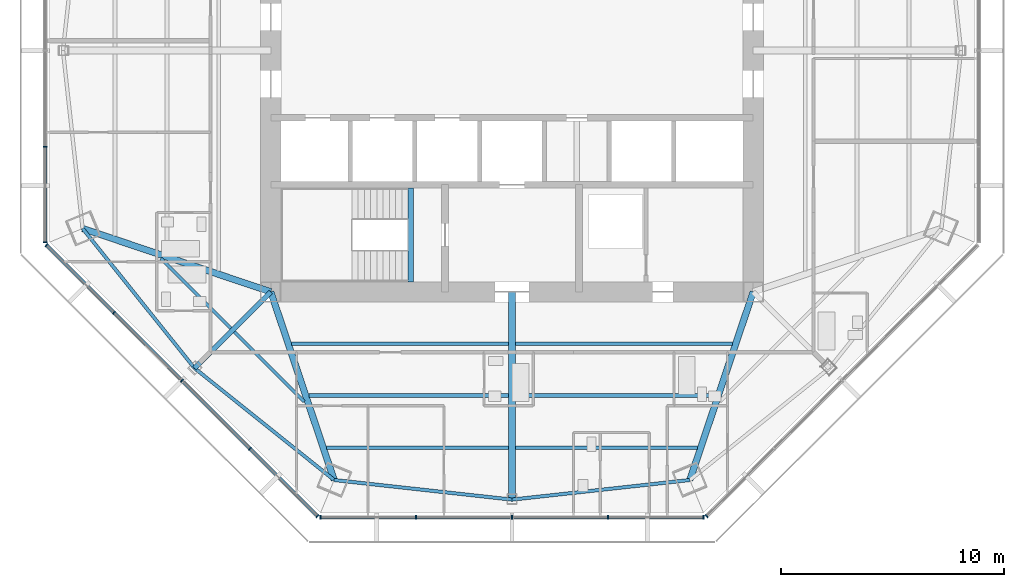
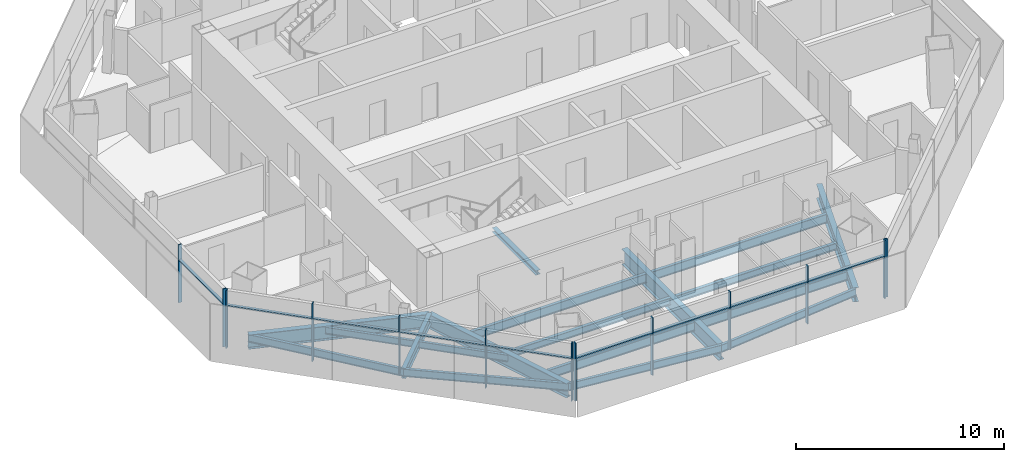
# One storey, part 2 of 14: 22 members, 18 beams, 4 elements without a shape of their own.
"""IFC4 building model written with IfcOpenShell, lengths in metres."""

import ifcopenshell
import ifcopenshell.guid

model = None  # the IFC model being written
_history = None  # IfcOwnerHistory: only IFC2X3 demands one
_inside = {}  # id of a spatial element -> (the spatial element, [elements in it])
_under = {}  # id of a project, library or spatial element -> (it, [spatial elements below it])
_declared = {}  # id of a project -> (the project, [libraries it declares])
_typed = {}  # id of a type object -> (the type object, [elements of that type])
_made_of = {}  # id of a material, layer set ... -> (it, [elements and type objects made of it])


def new_model(schema):
    """Start an empty IFC model of exactly this schema.

    Asked for "IFC4X3", IfcOpenShell would pick the latest addendum, in which some entities
    have other attributes; the version numbers below select the first issue.
    IFC2X3 requires an IfcOwnerHistory on every rooted entity: one is made here for all.
    """
    global model, _history
    if schema == "IFC4X3":
        model = ifcopenshell.file(schema_version=(4, 3, 0, 0))
    else:
        model = ifcopenshell.file(schema=schema)
    _inside.clear()
    _under.clear()
    _declared.clear()
    _typed.clear()
    _made_of.clear()
    _history = None
    if model.schema == "IFC2X3":
        org = make("IfcOrganization", Name="unknown")
        user = make(
            "IfcPersonAndOrganization",
            ThePerson=make("IfcPerson", FamilyName="unknown"),
            TheOrganization=org,
        )
        app = make(
            "IfcApplication",
            ApplicationDeveloper=org,
            Version="unknown",
            ApplicationFullName="unknown",
            ApplicationIdentifier="unknown",
        )
        _history = make(
            "IfcOwnerHistory",
            OwningUser=user,
            OwningApplication=app,
            ChangeAction="ADDED",
            CreationDate=0,
        )
    return model


def make(cls, **values):
    """One entity of the class cls with the attributes given. An attribute that is None is left unset."""
    return model.create_entity(
        cls, **{name: value for name, value in values.items() if value is not None}
    )


def rooted(cls, **values):
    """An entity with a GlobalId (a new one), such as an element, a storey or a relation."""
    return make(cls, GlobalId=ifcopenshell.guid.new(), OwnerHistory=_history, **values)


def si_unit(unit_type, name, prefix=None):
    """IfcSIUnit, for example si_unit("LENGTHUNIT", "METRE", prefix="MILLI")."""
    return make("IfcSIUnit", UnitType=unit_type, Prefix=prefix, Name=name)


def assignment(units):
    """IfcUnitAssignment: the units of a project."""
    return None if units is None else make("IfcUnitAssignment", Units=units)


def point(xyz):
    """IfcCartesianPoint."""
    return None if xyz is None else make("IfcCartesianPoint", Coordinates=xyz)


def direction(xyz):
    """IfcDirection."""
    return None if xyz is None else make("IfcDirection", DirectionRatios=xyz)


def frame(location, z_axis=None, x_axis=None):
    """IfcAxis2Placement3D, a coordinate frame: its origin and axes. An axis left out is left unset."""
    return make(
        "IfcAxis2Placement3D",
        Location=point(location),
        Axis=direction(z_axis),
        RefDirection=direction(x_axis),
    )


def frame_2d(location, x_axis=None):
    """IfcAxis2Placement2D, a coordinate frame in the plane: its origin and x axis."""
    return make(
        "IfcAxis2Placement2D", Location=point(location), RefDirection=direction(x_axis)
    )


def origin():
    """The frame at (0, 0, 0) with its axes left unset."""
    return frame((0.0, 0.0, 0.0))


def origin_2d():
    """The frame at (0, 0) in the plane with its x axis left unset."""
    return frame_2d((0.0, 0.0))


def place(relative_to, where):
    """IfcLocalPlacement: puts the frame where relative to a parent placement (None: the world)."""
    return make(
        "IfcLocalPlacement", PlacementRelTo=relative_to, RelativePlacement=where
    )


def context(
    kind, dimensions, precision=None, world=None, true_north=None, identifier=None
):
    """IfcGeometricRepresentationContext, for example the 3D "Model" context."""
    return make(
        "IfcGeometricRepresentationContext",
        ContextIdentifier=identifier,
        ContextType=kind,
        CoordinateSpaceDimension=dimensions,
        Precision=precision,
        WorldCoordinateSystem=world,
        TrueNorth=true_north,
    )


def subcontext(parent, identifier, kind, view, scale=None):
    """IfcGeometricRepresentationSubContext, for example "Body" below "Model"."""
    return make(
        "IfcGeometricRepresentationSubContext",
        ContextIdentifier=identifier,
        ContextType=kind,
        ParentContext=parent,
        TargetScale=scale,
        TargetView=view,
    )


def project(units=None, contexts=None):
    """IfcProject with its units and contexts."""
    return rooted(
        "IfcProject",
        Name="project",
        RepresentationContexts=contexts,
        UnitsInContext=assignment(units),
    )


def spatial(cls, under=None, at=None, **own):
    """A site, building, storey or space (cls), placed at a placement, below another one or the project."""
    s = rooted(cls, ObjectPlacement=at, **own)
    if under is not None:
        _under.setdefault(under.id(), (under, []))[1].append(s)
    return s


def profile(cls, at=None, kind="AREA", **sizes):
    """A parametric profile (cls). Its sizes go by their IFC names, for example OverallWidth=200.0."""
    return make(cls, ProfileType=kind, Position=at, **sizes)


def rectangle(**sizes):
    """IfcRectangleProfileDef."""
    return profile("IfcRectangleProfileDef", **sizes)


def i_section(**sizes):
    """IfcIShapeProfileDef."""
    return profile("IfcIShapeProfileDef", **sizes)


def extrude(swept, where, along, depth):
    """IfcExtrudedAreaSolid: the profile swept, set in the frame where, extruded along a direction by depth."""
    return make(
        "IfcExtrudedAreaSolid",
        SweptArea=swept,
        Position=where,
        ExtrudedDirection=direction(along),
        Depth=depth,
    )


def shape(context_of_items, identifier, shape_type, items):
    """IfcShapeRepresentation: the items that make up one representation, for example the "Body"."""
    return make(
        "IfcShapeRepresentation",
        ContextOfItems=context_of_items,
        RepresentationIdentifier=identifier,
        RepresentationType=shape_type,
        Items=items,
    )


def source(mapping_origin, context_of_items, identifier, shape_type, items):
    """IfcRepresentationMap: a shape defined once, which mapped items show again and again."""
    return make(
        "IfcRepresentationMap",
        MappingOrigin=mapping_origin,
        MappedRepresentation=shape(context_of_items, identifier, shape_type, items),
    )


def transform(
    local_origin,
    x_axis=None,
    y_axis=None,
    z_axis=None,
    scale=None,
    scale2=None,
    scale3=None,
    uniform=True,
):
    """IfcCartesianTransformationOperator3D, or its non-uniform kind. x_axis, y_axis, z_axis: its Axis1, 2, 3."""
    if uniform:
        return make(
            "IfcCartesianTransformationOperator3D",
            Axis1=direction(x_axis),
            Axis2=direction(y_axis),
            LocalOrigin=point(local_origin),
            Scale=scale,
            Axis3=direction(z_axis),
        )
    return make(
        "IfcCartesianTransformationOperator3DnonUniform",
        Axis1=direction(x_axis),
        Axis2=direction(y_axis),
        LocalOrigin=point(local_origin),
        Scale=scale,
        Axis3=direction(z_axis),
        Scale2=scale2,
        Scale3=scale3,
    )


def mapped(mapping_source, mapping_target):
    """IfcMappedItem: shows the shape of a source again, moved by a transform."""
    return make(
        "IfcMappedItem", MappingSource=mapping_source, MappingTarget=mapping_target
    )


def material(Name=None, Category=None):
    """IfcMaterial."""
    return make("IfcMaterial", Name=Name, Category=Category)


def material_profile(
    of_material, cross_section, Name=None, Category=None, Priority=None
):
    """IfcMaterialProfile: a cross section and its material."""
    return make(
        "IfcMaterialProfile",
        Name=Name,
        Material=of_material,
        Profile=cross_section,
        Priority=Priority,
        Category=Category,
    )


def profile_set(profiles, Name=None, composite=None):
    """IfcMaterialProfileSet."""
    return make(
        "IfcMaterialProfileSet",
        Name=Name,
        MaterialProfiles=profiles,
        CompositeProfile=composite,
    )


def made_of(thing, what):
    """Note that an element or type object is made of a material, layer set ...; save() writes the relation."""
    if what is not None:
        _made_of.setdefault(what.id(), (what, []))[1].append(thing)
    return thing


def type_object(cls, material=None, **own):
    """A type object (cls), such as IfcWallType, which elements share."""
    return made_of(rooted(cls, **own), material)


def type_shapes(of_type, sources):
    """Give a type object the sources (RepresentationMaps) that its elements show as mapped items."""
    of_type.RepresentationMaps = sources


def element(
    cls,
    number,
    at=None,
    inside=None,
    cuts=None,
    type_object=None,
    material=None,
    context=None,
    identifier="Body",
    shape_type=None,
    held_by="IfcProductDefinitionShape",
    body=None,
    shapes=None,
    **own,
):
    """One element of the class cls, such as IfcWall. Its Tag is "e" and its number.

    at: its placement. inside: the storey or other place that contains it. cuts: it is an
    opening in that element (IfcRelVoidsElement). A single representation is given by context,
    identifier, shape_type and body (its items); several are given by shapes. held_by: the class
    of the entity that holds the representations. save() writes the other relations.
    """
    e = rooted(cls, Tag="e%d" % number, ObjectPlacement=at, **own)
    if body is not None:
        shapes = [shape(context, identifier, shape_type, body)]
    if shapes is not None:
        e.Representation = make(held_by, Representations=shapes)
    if inside is not None:
        _inside.setdefault(inside.id(), (inside, []))[1].append(e)
    if cuts is not None:
        rooted(
            "IfcRelVoidsElement", RelatingBuildingElement=cuts, RelatedOpeningElement=e
        )
    if type_object is not None:
        _typed.setdefault(type_object.id(), (type_object, []))[1].append(e)
    return made_of(e, material)


def aggregate(whole, parts):
    """IfcRelAggregates: a whole, such as a stair, and the parts it consists of."""
    return rooted("IfcRelAggregates", RelatingObject=whole, RelatedObjects=parts)


def save(model, path):
    """Write the relations noted so far, then the file.

    IfcRelAggregates (storeys below a building ...), IfcRelContainedInSpatialStructure (elements
    in a storey), IfcRelDefinesByType, IfcRelAssociatesMaterial and IfcRelDeclares: one each for
    every whole, place, type object, material and project.
    """
    for whole, parts in _under.values():
        aggregate(whole, parts)
    for where, things in _inside.values():
        rooted(
            "IfcRelContainedInSpatialStructure",
            RelatedElements=things,
            RelatingStructure=where,
        )
    for kind, things in _typed.values():
        rooted("IfcRelDefinesByType", RelatedObjects=things, RelatingType=kind)
    for what, things in _made_of.values():
        rooted("IfcRelAssociatesMaterial", RelatedObjects=things, RelatingMaterial=what)
    for by, libraries in _declared.values():
        rooted("IfcRelDeclares", RelatingContext=by, RelatedDefinitions=libraries)
    model.write(path)


model = new_model("IFC4")

# Units and contexts
model_context = context("Model", 3, precision=1e-05, world=origin(), true_north=direction((0.0, 1.0)))
body_context = subcontext(model_context, "Body", "Model", "MODEL_VIEW")
ifc_project = project(units=[si_unit("LENGTHUNIT", "METRE"), si_unit("AREAUNIT", "SQUARE_METRE"), si_unit("VOLUMEUNIT", "CUBIC_METRE"), si_unit("PLANEANGLEUNIT", "RADIAN"), si_unit("MASSUNIT", "GRAM", prefix="KILO")], contexts=[model_context])

# Site, building, storey
site_placement = place(None, origin())
site = spatial("IfcSite", under=ifc_project, at=site_placement, CompositionType="ELEMENT")
building_placement = place(site_placement, origin())
building = spatial("IfcBuilding", under=site, at=building_placement, Name="Mashrafa Tower", CompositionType="ELEMENT")
storey_placement = place(building_placement, frame((0.0, 0.0, 251.60009765625)))
storey = spatial("IfcBuildingStorey", under=building, at=storey_placement, Name="L60", CompositionType="ELEMENT", Elevation=251.60009765625)

# Beams
ifc_material_1 = material(Name="Steel ASTM A992", Category="steel")
ifc_material_profile_1 = material_profile(ifc_material_1, i_section(OverallWidth=0.140380859375, OverallDepth=0.40380859375, WebThickness=0.007080078125, FlangeThickness=0.01123046875, FilletRadius=0.01025390625, at=origin_2d()), Name="W16X31")
ifc_profile_set_1 = profile_set([ifc_material_profile_1], Name="Steel ASTM A992")
beam_type_1 = type_object("IfcBeamType", Name="Beam W16X31", PredefinedType="BEAM", material=ifc_profile_set_1)
for number, where, z_axis, x_axis, name in (
    (1, (-12.588134765625, -12.427001953125, -0.402099609375), (-0.707079188391, 0.707134372906, 0.0), (-0.707134372906, -0.707079188391, 0.0), "Floor beam L60 008"),
    (2, (-9.298583984375, -15.71630859375, -0.402099609375), (-0.707134372906, 0.707079188391, 0.0), (-0.707079188391, -0.707134372906, 0.0), "Floor beam L60 012"),
):
    element("IfcBeam", number, at=place(storey_placement, frame(where, z_axis=z_axis, x_axis=x_axis)), inside=storey, type_object=beam_type_1, Name=name, PredefinedType="BEAM", context=body_context, shape_type="SweptSolid", body=[
        extrude(i_section(OverallWidth=0.140380859375, OverallDepth=0.40380859375, WebThickness=0.007080078125, FlangeThickness=0.01123046875, FilletRadius=0.01025390625, at=origin_2d()), origin(), (0.0, 0.0, 1.0), 4.424072265625),
    ])
ifc_material_2 = material(Name="Steel ASTM A992", Category="steel")
ifc_material_profile_2 = material_profile(ifc_material_2, i_section(OverallWidth=0.177734375, OverallDepth=0.406494140625, WebThickness=0.0078125, FlangeThickness=0.012939453125, FilletRadius=0.01025390625, at=origin_2d()), Name="W16X40")
ifc_profile_set_2 = profile_set([ifc_material_profile_2], Name="Steel ASTM A992")
beam_type_2 = type_object("IfcBeamType", Name="Beam W16X40", PredefinedType="BEAM", material=ifc_profile_set_2)
for number, where, z_axis, x_axis, name in (
    (3, (-0.15234375, -15.451416015625, -0.4033203125), (-1.0, 0.0, 0.0), (0.0, -1.0, 0.0), "Floor beam L60 015"),
    (4, (9.07958984375, -15.451416015625, -0.4033203125), (-1.0, 0.0, 0.0), (0.0, -1.0, 0.0), "Floor beam L60 022"),
):
    element("IfcBeam", number, at=place(storey_placement, frame(where, z_axis=z_axis, x_axis=x_axis)), inside=storey, type_object=beam_type_2, Name=name, PredefinedType="BEAM", context=body_context, shape_type="SweptSolid", body=[
        extrude(i_section(OverallWidth=0.177734375, OverallDepth=0.406494140625, WebThickness=0.0078125, FlangeThickness=0.012939453125, FilletRadius=0.01025390625, at=origin_2d()), origin(), (0.0, 0.0, 1.0), 8.92724609375),
    ])
ifc_material_3 = material(Name="Steel ASTM A992", Category="steel")
ifc_material_profile_3 = material_profile(ifc_material_3, i_section(OverallWidth=0.15234375, OverallDepth=0.449462890625, WebThickness=0.007568359375, FlangeThickness=0.0107421875, FilletRadius=0.01025390625, at=origin_2d()), Name="W18X35")
ifc_profile_set_3 = profile_set([ifc_material_profile_3], Name="Steel ASTM A992")
beam_type_3 = type_object("IfcBeamType", Name="Beam W18X35", PredefinedType="BEAM", material=ifc_profile_set_3)
for number, where, z_axis, x_axis, name in (
    (5, (-19.224853515625, -7.963134765625, -0.4248046875), (0.625352613785, -0.780342302091, 0.0), (0.780342302091, 0.625352613785, 0.0), "Spandrel beam L60 050"),
    (6, (-14.21484375, -14.21484375, -0.4248046875), (0.780342302091, -0.625352613785, 0.0), (0.625352613785, 0.780342302091, 0.0), "Spandrel beam L60 052"),
    (7, (-7.963134765625, -19.224853515625, -0.4248046875), (0.993974078667, -0.109615377287, 0.0), (0.109615377287, 0.993974078667, 0.0), "Spandrel beam L60 054"),
    (8, (0.0, -20.10302734375, -0.4248046875), (0.993974078667, 0.109615377287, 0.0), (-0.109615377287, 0.993974078667, 0.0), "Spandrel beam L60 056"),
):
    element("IfcBeam", number, at=place(storey_placement, frame(where, z_axis=z_axis, x_axis=x_axis)), inside=storey, type_object=beam_type_3, Name=name, PredefinedType="BEAM", context=body_context, shape_type="SweptSolid", body=[
        extrude(i_section(OverallWidth=0.15234375, OverallDepth=0.449462890625, WebThickness=0.007568359375, FlangeThickness=0.0107421875, FilletRadius=0.01025390625, at=origin_2d()), origin(), (0.0, 0.0, 1.0), 8.011474609375),
    ])
ifc_material_4 = material(Name="Steel ASTM A992", Category="steel")
ifc_material_profile_4 = material_profile(ifc_material_4, i_section(OverallWidth=0.165771484375, OverallDepth=0.5283203125, WebThickness=0.009765625, FlangeThickness=0.013671875, FilletRadius=0.012939453125, at=origin_2d()), Name="W21X50")
ifc_profile_set_4 = profile_set([ifc_material_profile_4], Name="Steel ASTM A992")
beam_type_4 = type_object("IfcBeamType", Name="Beam W21X50", PredefinedType="BEAM", material=ifc_profile_set_4)
beam_1_placement = place(storey_placement, frame((-0.15234375, -17.77734375, -0.46435546875), z_axis=(-1.0, 0.0, 0.0), x_axis=(0.0, -1.0, 0.0)))
element("IfcBeam", 9, at=beam_1_placement, inside=storey, type_object=beam_type_4, Name="Floor beam L60 014", PredefinedType="BEAM", context=body_context, shape_type="SweptSolid", body=[
    extrude(i_section(OverallWidth=0.165771484375, OverallDepth=0.5283203125, WebThickness=0.009765625, FlangeThickness=0.013671875, FilletRadius=0.012939453125, at=origin_2d()), origin(), (0.0, 0.0, 1.0), 8.14404296875),
])
beam_2_placement = place(storey_placement, frame((-0.15234375, -13.125732421875, -0.46435546875), z_axis=(-1.0, 0.0, 0.0), x_axis=(0.0, -1.0, 0.0)))
element("IfcBeam", 10, at=beam_2_placement, inside=storey, type_object=beam_type_4, Name="Floor beam L60 016", PredefinedType="BEAM", context=body_context, shape_type="SweptSolid", body=[
    extrude(i_section(OverallWidth=0.165771484375, OverallDepth=0.5283203125, WebThickness=0.009765625, FlangeThickness=0.013671875, FilletRadius=0.012939453125, at=origin_2d()), origin(), (0.0, 0.0, 1.0), 9.71044921875),
])
beam_3_placement = place(storey_placement, frame((8.29638671875, -17.77734375, -0.46435546875), z_axis=(-1.0, 0.0, 0.0), x_axis=(0.0, -1.0, 0.0)))
element("IfcBeam", 11, at=beam_3_placement, inside=storey, type_object=beam_type_4, Name="Floor beam L60 020", PredefinedType="BEAM", context=body_context, shape_type="SweptSolid", body=[
    extrude(i_section(OverallWidth=0.165771484375, OverallDepth=0.5283203125, WebThickness=0.009765625, FlangeThickness=0.013671875, FilletRadius=0.012939453125, at=origin_2d()), origin(), (0.0, 0.0, 1.0), 8.14404296875),
])
beam_4_placement = place(storey_placement, frame((9.86279296875, -13.125732421875, -0.46435546875), z_axis=(-1.0, 0.0, 0.0), x_axis=(0.0, -1.0, 0.0)))
element("IfcBeam", 12, at=beam_4_placement, inside=storey, type_object=beam_type_4, Name="Floor beam L60 023", PredefinedType="BEAM", context=body_context, shape_type="SweptSolid", body=[
    extrude(i_section(OverallWidth=0.165771484375, OverallDepth=0.5283203125, WebThickness=0.009765625, FlangeThickness=0.013671875, FilletRadius=0.012939453125, at=origin_2d()), origin(), (0.0, 0.0, 1.0), 9.71044921875),
])
ifc_material_5 = material(Name="Steel ASTM A992", Category="steel")
ifc_material_profile_5 = material_profile(ifc_material_5, i_section(OverallWidth=0.227783203125, OverallDepth=0.60205078125, WebThickness=0.010498046875, FlangeThickness=0.014892578125, FilletRadius=0.012939453125, at=origin_2d()), Name="W24X68")
ifc_profile_set_5 = profile_set([ifc_material_profile_5], Name="Steel ASTM A992")
beam_type_5 = type_object("IfcBeamType", Name="Beam W24X68", PredefinedType="BEAM", material=ifc_profile_set_5)
beam_5_placement = place(storey_placement, frame((-10.800048828125, -10.800048828125, -0.5009765625), z_axis=(-0.707106781187, -0.707106781187, 0.0), x_axis=(0.707106781187, -0.707106781187, 0.0)))
element("IfcBeam", 13, at=beam_5_placement, inside=storey, type_object=beam_type_5, Name="Radial girder L60 034", PredefinedType="BEAM", context=body_context, shape_type="SweptSolid", body=[
    extrude(i_section(OverallWidth=0.227783203125, OverallDepth=0.60205078125, WebThickness=0.010498046875, FlangeThickness=0.014892578125, FilletRadius=0.012939453125, at=origin_2d()), origin(), (0.0, 0.0, 1.0), 4.829345703125),
])
ifc_material_6 = material(Name="Steel ASTM A992", Category="steel")
ifc_material_profile_6 = material_profile(ifc_material_6, i_section(OverallWidth=0.2919921875, OverallDepth=0.8408203125, WebThickness=0.0146484375, FlangeThickness=0.021728515625, FilletRadius=0.017333984375, at=origin_2d()), Name="W33X130")
ifc_profile_set_6 = profile_set([ifc_material_profile_6], Name="Steel ASTM A992")
beam_type_6 = type_object("IfcBeamType", Name="Beam W33X130", PredefinedType="BEAM", material=ifc_profile_set_6)
for number, where, z_axis, x_axis, name in (
    (14, (-10.800048828125, -10.800048828125, -0.620361328125), (-0.947712148196, 0.319126439146, 0.0), (-0.319126439146, -0.947712148196, 0.0), "Radial girder L60 033"),
    (15, (-10.800048828125, -10.800048828125, -0.620361328125), (0.319126439146, -0.947712148196, 0.0), (0.947712148196, 0.319126439146, 0.0), "Radial girder L60 035"),
    (16, (10.800048828125, -10.800048828125, -0.620361328125), (-0.319126439146, -0.947712148196, 0.0), (0.947712148196, -0.319126439146, 0.0), "Radial girder L60 042"),
):
    element("IfcBeam", number, at=place(storey_placement, frame(where, z_axis=z_axis, x_axis=x_axis)), inside=storey, type_object=beam_type_6, Name=name, PredefinedType="BEAM", context=body_context, shape_type="SweptSolid", body=[
        extrude(i_section(OverallWidth=0.2919921875, OverallDepth=0.8408203125, WebThickness=0.0146484375, FlangeThickness=0.021728515625, FilletRadius=0.017333984375, at=origin_2d()), origin(), (0.0, 0.0, 1.0), 8.8896484375),
    ])
ifc_material_7 = material(Name="Steel ASTM A992", Category="steel")
ifc_material_profile_7 = material_profile(ifc_material_7, i_section(OverallWidth=0.3046875, OverallDepth=0.911865234375, WebThickness=0.015869140625, FlangeThickness=0.02392578125, FilletRadius=0.01904296875, at=origin_2d()), Name="W36X150")
ifc_profile_set_7 = profile_set([ifc_material_profile_7], Name="Steel ASTM A992")
beam_type_7 = type_object("IfcBeamType", Name="Beam W36X150", PredefinedType="BEAM", material=ifc_profile_set_7)
beam_6_placement = place(storey_placement, frame((0.0, -10.800048828125, -0.656005859375), z_axis=(0.0, -1.0, 0.0), x_axis=(1.0, 0.0, 0.0)))
element("IfcBeam", 17, at=beam_6_placement, inside=storey, type_object=beam_type_7, Name="Radial girder L60 040", PredefinedType="BEAM", context=body_context, shape_type="SweptSolid", body=[
    extrude(i_section(OverallWidth=0.3046875, OverallDepth=0.911865234375, WebThickness=0.015869140625, FlangeThickness=0.02392578125, FilletRadius=0.01904296875, at=origin_2d()), origin(), (0.0, 0.0, 1.0), 9.302978515625),
])
ifc_material_8 = material(Name="Steel ASTM A992", Category="steel")
ifc_material_profile_8 = material_profile(ifc_material_8, i_section(OverallWidth=0.25390625, OverallDepth=0.25390625, WebThickness=0.008544921875, FlangeThickness=0.01416015625, FilletRadius=0.010009765625, at=origin_2d()), Name="W10X49")
ifc_profile_set_8 = profile_set([ifc_material_profile_8], Name="Steel ASTM A992")
beam_type_8 = type_object("IfcBeamType", Name="Hoistway beam W10X49", PredefinedType="BEAM", material=ifc_profile_set_8)
beam_7_placement = place(storey_placement, frame((-4.530029296875, -10.35009765625, -0.3271484375), z_axis=(0.0, 1.0, 0.0), x_axis=(-1.0, 0.0, 0.0)))
element("IfcBeam", 18, at=beam_7_placement, inside=storey, type_object=beam_type_8, Name="Stair S3 landing beam L60", PredefinedType="BEAM", context=body_context, shape_type="SweptSolid", body=[
    extrude(i_section(OverallWidth=0.25390625, OverallDepth=0.25390625, WebThickness=0.008544921875, FlangeThickness=0.01416015625, FilletRadius=0.010009765625, at=origin_2d()), origin(), (0.0, 0.0, 1.0), 4.2001953125),
])

# Curtain wall, members
ifc_material_9 = material(Name="Unitised aluminium curtain wall", Category="aluminium")
curtain_wall_type = type_object("IfcCurtainWallType", Name="Apartment curtain wall, zone 3 CW-C 180 deep", PredefinedType="NOTDEFINED", material=ifc_material_9)
curtain_wall_1_placement = place(storey_placement, origin())
curtain_wall_1 = element("IfcCurtainWall", 19, at=curtain_wall_1_placement, inside=storey, type_object=curtain_wall_type, Name="Apartment curtain wall, zone 3 L60 west", PredefinedType="NOTDEFINED")
ifc_material_10 = material(Name="Extruded aluminium mullion", Category="aluminium")
ifc_material_profile_9 = material_profile(ifc_material_10, rectangle(XDim=0.179931640625, YDim=0.06005859375, at=origin_2d()), Name="Mullion 60x180")
ifc_profile_set_9 = profile_set([ifc_material_profile_9], Name="Extruded aluminium mullion")
member_type_1 = type_object("IfcMemberType", Name="Mullion CW-C 60 x 180", PredefinedType="MULLION", material=ifc_profile_set_9)
shared_shape_1 = source(origin(), body_context, "Body", "SweptSolid", [
    extrude(rectangle(XDim=0.179931640625, YDim=0.06005859375, at=origin_2d()), origin(), (0.0, 0.0, 1.0), 3.39990234375),
])
type_shapes(member_type_1, [shared_shape_1])
member_1_placement = place(storey_placement, frame((-20.897216796875, -4.304443359375, 0.0), z_axis=(0.0, 0.0, 1.0), x_axis=(1.0, 0.0, 0.0)))
member_1 = element("IfcMember", 20, at=member_1_placement, type_object=member_type_1, Name="CW-C mullion 4", PredefinedType="MULLION", context=body_context, shape_type="MappedRepresentation", body=[
    mapped(shared_shape_1, transform((0.0, 0.0, 0.0))),
])
member_2_placement = place(storey_placement, frame((-20.897216796875, -8.57861328125, 0.0), z_axis=(0.0, 0.0, 1.0), x_axis=(1.0, 0.0, 0.0)))
member_2 = element("IfcMember", 21, at=member_2_placement, type_object=member_type_1, Name="CW-C mullion 5", PredefinedType="MULLION", context=body_context, shape_type="MappedRepresentation", body=[
    mapped(shared_shape_1, transform((0.0, 0.0, 0.0))),
])

curtain_wall_2_placement = place(storey_placement, origin())
curtain_wall_2 = element("IfcCurtainWall", 22, at=curtain_wall_2_placement, inside=storey, type_object=curtain_wall_type, Name="Apartment curtain wall, zone 3 L60 south-west", PredefinedType="NOTDEFINED")
member_3_placement = place(storey_placement, frame((-20.8427734375, -8.710693359375, 0.0), z_axis=(0.0, 0.0, 1.0), x_axis=(0.707106781187, 0.707106781187, 0.0)))
member_3 = element("IfcMember", 23, at=member_3_placement, type_object=member_type_1, Name="CW-C mullion 1", PredefinedType="MULLION", context=body_context, shape_type="MappedRepresentation", body=[
    mapped(shared_shape_1, transform((0.0, 0.0, 0.0))),
])
member_4_placement = place(storey_placement, frame((-17.8203125, -11.73291015625, 0.0), z_axis=(0.0, 0.0, 1.0), x_axis=(0.707106781187, 0.707106781187, 0.0)))
member_4 = element("IfcMember", 24, at=member_4_placement, type_object=member_type_1, Name="CW-C mullion 2", PredefinedType="MULLION", context=body_context, shape_type="MappedRepresentation", body=[
    mapped(shared_shape_1, transform((0.0, 0.0, 0.0))),
])
member_5_placement = place(storey_placement, frame((-14.776611328125, -14.776611328125, 0.0), z_axis=(0.0, 0.0, 1.0), x_axis=(0.707106781187, 0.707106781187, 0.0)))
member_5 = element("IfcMember", 25, at=member_5_placement, type_object=member_type_1, Name="CW-C mullion 3", PredefinedType="MULLION", context=body_context, shape_type="MappedRepresentation", body=[
    mapped(shared_shape_1, transform((0.0, 0.0, 0.0))),
])
member_6_placement = place(storey_placement, frame((-11.73291015625, -17.8203125, 0.0), z_axis=(0.0, 0.0, 1.0), x_axis=(0.707106781187, 0.707106781187, 0.0)))
member_6 = element("IfcMember", 26, at=member_6_placement, type_object=member_type_1, Name="CW-C mullion 4", PredefinedType="MULLION", context=body_context, shape_type="MappedRepresentation", body=[
    mapped(shared_shape_1, transform((0.0, 0.0, 0.0))),
])
member_7_placement = place(storey_placement, frame((-8.710693359375, -20.8427734375, 0.0), z_axis=(0.0, 0.0, 1.0), x_axis=(0.707106781187, 0.707106781187, 0.0)))
member_7 = element("IfcMember", 27, at=member_7_placement, type_object=member_type_1, Name="CW-C mullion 5", PredefinedType="MULLION", context=body_context, shape_type="MappedRepresentation", body=[
    mapped(shared_shape_1, transform((0.0, 0.0, 0.0))),
])

curtain_wall_3_placement = place(storey_placement, origin())
curtain_wall_3 = element("IfcCurtainWall", 28, at=curtain_wall_3_placement, inside=storey, type_object=curtain_wall_type, Name="Apartment curtain wall, zone 3 L60 south", PredefinedType="NOTDEFINED")
member_8_placement = place(storey_placement, frame((-8.57861328125, -20.897216796875, 0.0), z_axis=(0.0, 0.0, 1.0), x_axis=(0.0, 1.0, 0.0)))
member_8 = element("IfcMember", 29, at=member_8_placement, type_object=member_type_1, Name="CW-C mullion 1", PredefinedType="MULLION", context=body_context, shape_type="MappedRepresentation", body=[
    mapped(shared_shape_1, transform((0.0, 0.0, 0.0))),
])
member_9_placement = place(storey_placement, frame((-4.304443359375, -20.897216796875, 0.0), z_axis=(0.0, 0.0, 1.0), x_axis=(0.0, 1.0, 0.0)))
member_9 = element("IfcMember", 30, at=member_9_placement, type_object=member_type_1, Name="CW-C mullion 2", PredefinedType="MULLION", context=body_context, shape_type="MappedRepresentation", body=[
    mapped(shared_shape_1, transform((0.0, 0.0, 0.0))),
])
member_10_placement = place(storey_placement, frame((0.0, -20.897216796875, 0.0), z_axis=(0.0, 0.0, 1.0), x_axis=(0.0, 1.0, 0.0)))
member_10 = element("IfcMember", 31, at=member_10_placement, type_object=member_type_1, Name="CW-C mullion 3", PredefinedType="MULLION", context=body_context, shape_type="MappedRepresentation", body=[
    mapped(shared_shape_1, transform((0.0, 0.0, 0.0))),
])
member_11_placement = place(storey_placement, frame((4.304443359375, -20.897216796875, 0.0), z_axis=(0.0, 0.0, 1.0), x_axis=(0.0, 1.0, 0.0)))
member_11 = element("IfcMember", 32, at=member_11_placement, type_object=member_type_1, Name="CW-C mullion 4", PredefinedType="MULLION", context=body_context, shape_type="MappedRepresentation", body=[
    mapped(shared_shape_1, transform((0.0, 0.0, 0.0))),
])
member_12_placement = place(storey_placement, frame((8.57861328125, -20.897216796875, 0.0), z_axis=(0.0, 0.0, 1.0), x_axis=(0.0, 1.0, 0.0)))
member_12 = element("IfcMember", 33, at=member_12_placement, type_object=member_type_1, Name="CW-C mullion 5", PredefinedType="MULLION", context=body_context, shape_type="MappedRepresentation", body=[
    mapped(shared_shape_1, transform((0.0, 0.0, 0.0))),
])

# Curtain wall, member
curtain_wall_4_placement = place(storey_placement, origin())
curtain_wall_4 = element("IfcCurtainWall", 34, at=curtain_wall_4_placement, inside=storey, type_object=curtain_wall_type, Name="Apartment curtain wall, zone 3 L60 south-east", PredefinedType="NOTDEFINED")
member_13_placement = place(storey_placement, frame((8.710693359375, -20.8427734375, 0.0), z_axis=(0.0, 0.0, 1.0), x_axis=(-0.707106781187, 0.707106781187, 0.0)))
member_13 = element("IfcMember", 35, at=member_13_placement, type_object=member_type_1, Name="CW-C mullion 1", PredefinedType="MULLION", context=body_context, shape_type="MappedRepresentation", body=[
    mapped(shared_shape_1, transform((0.0, 0.0, 0.0))),
])
aggregate(curtain_wall_4, [member_13])

# Member
ifc_material_11 = material(Name="Extruded aluminium transom", Category="aluminium")
ifc_material_profile_10 = material_profile(ifc_material_11, rectangle(XDim=0.14404296875, YDim=0.074951171875, at=origin_2d()), Name="Transom 75x144")
ifc_profile_set_10 = profile_set([ifc_material_profile_10], Name="Extruded aluminium transom")
member_type_2 = type_object("IfcMemberType", Name="Transom CW-C 75 x 144", PredefinedType="MULLION", material=ifc_profile_set_10)
shared_shape_2 = source(origin(), body_context, "Body", "SweptSolid", [
    extrude(rectangle(XDim=0.14404296875, YDim=0.074951171875, at=origin_2d()), origin(), (0.0, 0.0, 1.0), 4.21435546875),
])
member_14_placement = place(storey_placement, frame((-20.897216796875, -4.334228515625, 2.5), z_axis=(0.0, -1.0, 0.0), x_axis=(1.0, 0.0, 0.0)))
member_14 = element("IfcMember", 36, at=member_14_placement, type_object=member_type_2, Name="CW-C transom 4", PredefinedType="MULLION", context=body_context, shape_type="MappedRepresentation", body=[
    mapped(shared_shape_2, transform((0.0, 0.0, 0.0))),
])

aggregate(curtain_wall_1, [member_1, member_2, member_14])

member_15_placement = place(storey_placement, frame((-8.548583984375, -20.897216796875, 2.5), z_axis=(1.0, 0.0, 0.0), x_axis=(0.0, 1.0, 0.0)))
member_15 = element("IfcMember", 37, at=member_15_placement, type_object=member_type_2, Name="CW-C transom 1", PredefinedType="MULLION", context=body_context, shape_type="MappedRepresentation", body=[
    mapped(shared_shape_2, transform((0.0, 0.0, 0.0))),
])

member_16_placement = place(storey_placement, frame((4.334228515625, -20.897216796875, 2.5), z_axis=(1.0, 0.0, 0.0), x_axis=(0.0, 1.0, 0.0)))
member_16 = element("IfcMember", 38, at=member_16_placement, type_object=member_type_2, Name="CW-C transom 4", PredefinedType="MULLION", context=body_context, shape_type="MappedRepresentation", body=[
    mapped(shared_shape_2, transform((0.0, 0.0, 0.0))),
])

shared_shape_3 = source(origin(), body_context, "Body", "SweptSolid", [
    extrude(rectangle(XDim=0.14404296875, YDim=0.074951171875, at=origin_2d()), origin(), (0.0, 0.0, 1.0), 4.244384765625),
])
member_17_placement = place(storey_placement, frame((-17.799072265625, -11.754150390625, 2.5), z_axis=(0.707106781187, -0.707106781187, 0.0), x_axis=(0.707106781187, 0.707106781187, 0.0)))
member_17 = element("IfcMember", 39, at=member_17_placement, type_object=member_type_2, Name="CW-C transom 2", PredefinedType="MULLION", context=body_context, shape_type="MappedRepresentation", body=[
    mapped(shared_shape_3, transform((0.0, 0.0, 0.0))),
])

member_18_placement = place(storey_placement, frame((-14.75537109375, -14.7978515625, 2.5), z_axis=(0.707106781187, -0.707106781187, 0.0), x_axis=(0.707106781187, 0.707106781187, 0.0)))
member_18 = element("IfcMember", 40, at=member_18_placement, type_object=member_type_2, Name="CW-C transom 3", PredefinedType="MULLION", context=body_context, shape_type="MappedRepresentation", body=[
    mapped(shared_shape_3, transform((0.0, 0.0, 0.0))),
])

member_19_placement = place(storey_placement, frame((-4.2744140625, -20.897216796875, 2.5), z_axis=(1.0, 0.0, 0.0), x_axis=(0.0, 1.0, 0.0)))
member_19 = element("IfcMember", 41, at=member_19_placement, type_object=member_type_2, Name="CW-C transom 2", PredefinedType="MULLION", context=body_context, shape_type="MappedRepresentation", body=[
    mapped(shared_shape_3, transform((0.0, 0.0, 0.0))),
])

member_20_placement = place(storey_placement, frame((0.030029296875, -20.897216796875, 2.5), z_axis=(1.0, 0.0, 0.0), x_axis=(0.0, 1.0, 0.0)))
member_20 = element("IfcMember", 42, at=member_20_placement, type_object=member_type_2, Name="CW-C transom 3", PredefinedType="MULLION", context=body_context, shape_type="MappedRepresentation", body=[
    mapped(shared_shape_3, transform((0.0, 0.0, 0.0))),
])

aggregate(curtain_wall_3, [member_8, member_9, member_10, member_11, member_12, member_15, member_19, member_20, member_16])

shared_shape_4 = source(origin(), body_context, "Body", "SweptSolid", [
    extrude(rectangle(XDim=0.14404296875, YDim=0.074951171875, at=origin_2d()), origin(), (0.0, 0.0, 1.0), 4.214599609375),
])
type_shapes(member_type_2, [shared_shape_2, shared_shape_3, shared_shape_4])
member_21_placement = place(storey_placement, frame((-20.821533203125, -8.731689453125, 2.5), z_axis=(0.707077816239, -0.707135744948, 0.0), x_axis=(0.707135744948, 0.707077816239, 0.0)))
member_21 = element("IfcMember", 43, at=member_21_placement, type_object=member_type_2, Name="CW-C transom 1", PredefinedType="MULLION", context=body_context, shape_type="MappedRepresentation", body=[
    mapped(shared_shape_4, transform((0.0, 0.0, 0.0))),
])

member_22_placement = place(storey_placement, frame((-11.7119140625, -17.841552734375, 2.5), z_axis=(0.707135744948, -0.707077816239, 0.0), x_axis=(0.707077816239, 0.707135744948, 0.0)))
member_22 = element("IfcMember", 44, at=member_22_placement, type_object=member_type_2, Name="CW-C transom 4", PredefinedType="MULLION", context=body_context, shape_type="MappedRepresentation", body=[
    mapped(shared_shape_4, transform((0.0, 0.0, 0.0))),
])

aggregate(curtain_wall_2, [member_3, member_4, member_5, member_6, member_7, member_21, member_17, member_18, member_22])

save(model, "model.ifc")
